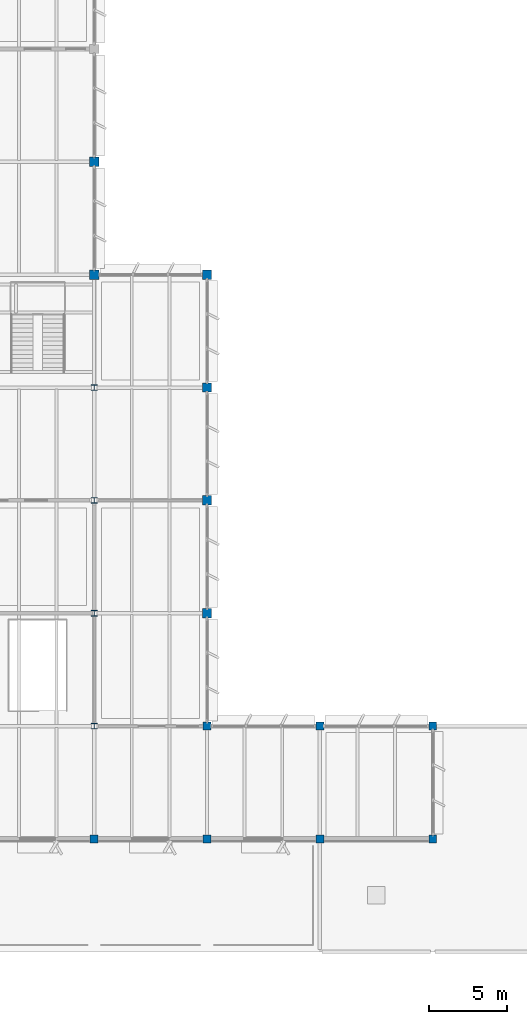
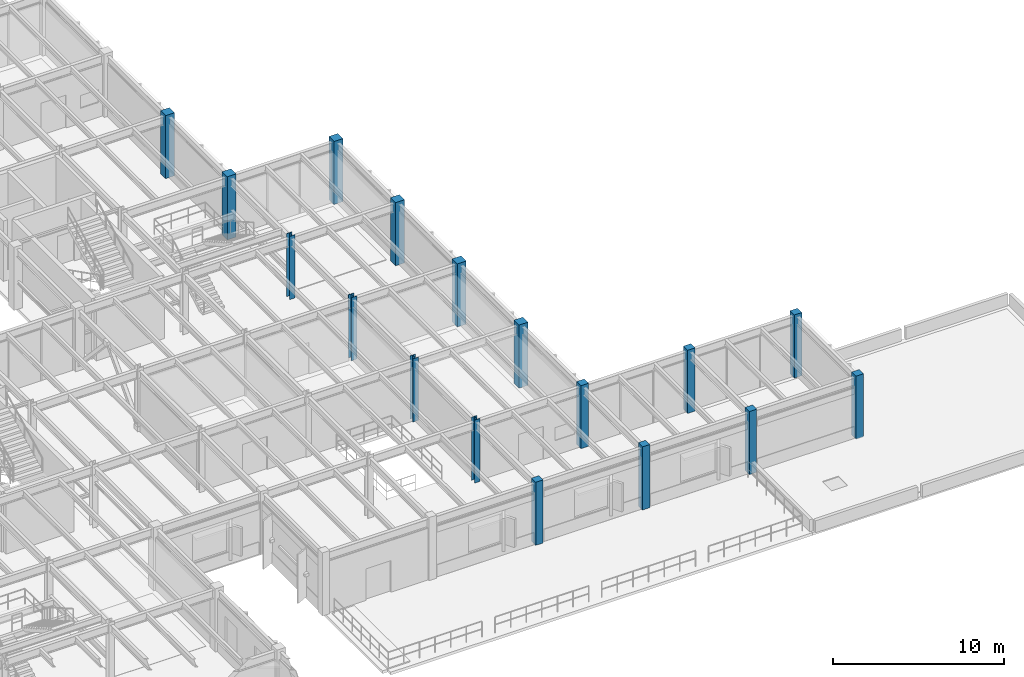
# One storey, part 14 of 92: 17 columns.
"""IFC4 building model written with IfcOpenShell, lengths in metres."""

from ifc_helpers import new_model, si_unit, direction, frame, origin, origin_2d, place, context, subcontext, project, spatial, rectangle, i_section, extrude, material, material_profile, profile_set, type_object, element, save


model = new_model("IFC4")

# Units and contexts
model_context = context("Model", 3, precision=1e-05, world=origin(), true_north=direction((0.0, 1.0)))
body_context = subcontext(model_context, "Body", "Model", "MODEL_VIEW")
ifc_project = project(units=[si_unit("LENGTHUNIT", "METRE"), si_unit("AREAUNIT", "SQUARE_METRE"), si_unit("VOLUMEUNIT", "CUBIC_METRE"), si_unit("PLANEANGLEUNIT", "RADIAN"), si_unit("MASSUNIT", "GRAM", prefix="KILO")], contexts=[model_context])

# Site, building, storey
site_placement = place(None, origin())
site = spatial("IfcSite", under=ifc_project, at=site_placement, CompositionType="ELEMENT")
building_placement = place(site_placement, origin())
building = spatial("IfcBuilding", under=site, at=building_placement, Name="Sillqori Civic Hall", CompositionType="ELEMENT")
storey_placement = place(building_placement, frame((0.0, 0.0, 5.39990234375)))
storey = spatial("IfcBuildingStorey", under=building, at=storey_placement, Name="L02", CompositionType="ELEMENT", Elevation=5.39990234375)

# Columns
ifc_material_1 = material(Name="Concrete C35/45 (H35)", Category="concrete")
ifc_material_profile_1 = material_profile(ifc_material_1, rectangle(XDim=0.5, YDim=0.5, at=origin_2d()), Name="RC 500x500")
ifc_profile_set_1 = profile_set([ifc_material_profile_1], Name="Concrete C35/45 (H35)")
column_type_1 = type_object("IfcColumnType", Name="COL-RC500", PredefinedType="COLUMN", material=ifc_profile_set_1)
for number, where, z_axis, x_axis, name in (
    (1, (136.800048828125, 21.60009765625, 0.0), (0.0, 0.0, 1.0), (1.0, 0.0, 0.0), "L02 column 19-3"),
    (2, (144.0, 21.60009765625, 0.0), (0.0, 0.0, 1.0), (1.0, 0.0, 0.0), "L02 column 20-3"),
    (3, (144.0, 28.800048828125, 0.0), (0.0, 0.0, 1.0), (1.0, 0.0, 0.0), "L02 column 20-4"),
    (4, (151.199951171875, 21.60009765625, 0.0), (0.0, 0.0, 1.0), (1.0, 0.0, 0.0), "L02 column 21-3"),
    (5, (151.199951171875, 28.800048828125, 0.0), (0.0, 0.0, 1.0), (1.0, 0.0, 0.0), "L02 column 21-4"),
    (6, (158.39990234375, 21.60009765625, 0.0), (0.0, 0.0, 1.0), (1.0, 0.0, 0.0), "L02 column 22-3"),
    (7, (158.39990234375, 28.800048828125, 0.0), (0.0, 0.0, 1.0), (1.0, 0.0, 0.0), "L02 column 22-4"),
):
    element("IfcColumn", number, at=place(storey_placement, frame(where, z_axis=z_axis, x_axis=x_axis)), inside=storey, type_object=column_type_1, Name=name, PredefinedType="COLUMN", context=body_context, shape_type="SweptSolid", body=[
        extrude(rectangle(XDim=0.5, YDim=0.5, at=origin_2d()), origin(), (0.0, 0.0, 1.0), 4.5),
    ])
ifc_material_profile_2 = material_profile(ifc_material_1, rectangle(XDim=0.60009765625, YDim=0.60009765625, at=origin_2d()), Name="RC 600x600")
ifc_profile_set_2 = profile_set([ifc_material_profile_2], Name="Concrete C35/45 (H35)")
column_type_2 = type_object("IfcColumnType", Name="COL-RC600", PredefinedType="COLUMN", material=ifc_profile_set_2)
for number, where, z_axis, x_axis, name in (
    (8, (136.800048828125, 57.60009765625, 0.0), (0.0, 0.0, 1.0), (1.0, 0.0, 0.0), "L02 column 19-8"),
    (9, (136.800048828125, 64.800048828125, 0.0), (0.0, 0.0, 1.0), (1.0, 0.0, 0.0), "L02 column 19-9"),
    (10, (144.0, 36.0, 0.0), (0.0, 0.0, 1.0), (1.0, 0.0, 0.0), "L02 column 20-5"),
    (11, (144.0, 43.199951171875, 0.0), (0.0, 0.0, 1.0), (1.0, 0.0, 0.0), "L02 column 20-6"),
    (12, (144.0, 50.39990234375, 0.0), (0.0, 0.0, 1.0), (1.0, 0.0, 0.0), "L02 column 20-7"),
    (13, (144.0, 57.60009765625, 0.0), (0.0, 0.0, 1.0), (1.0, 0.0, 0.0), "L02 column 20-8"),
):
    element("IfcColumn", number, at=place(storey_placement, frame(where, z_axis=z_axis, x_axis=x_axis)), inside=storey, type_object=column_type_2, Name=name, PredefinedType="COLUMN", context=body_context, shape_type="SweptSolid", body=[
        extrude(rectangle(XDim=0.60009765625, YDim=0.60009765625, at=origin_2d()), origin(), (0.0, 0.0, 1.0), 4.5),
    ])
ifc_material_2 = material(Name="Steel ASTM A992", Category="steel")
ifc_material_profile_3 = material_profile(ifc_material_2, i_section(OverallWidth=0.373046875, OverallDepth=0.367919921875, WebThickness=0.014892578125, FlangeThickness=0.02392578125, FilletRadius=0.014892578125, at=origin_2d()), Name="W14X120")
ifc_profile_set_3 = profile_set([ifc_material_profile_3], Name="Steel ASTM A992")
column_type_3 = type_object("IfcColumnType", Name="COL-W14X120", PredefinedType="COLUMN", material=ifc_profile_set_3)
for number, where, z_axis, x_axis, name in (
    (14, (136.800048828125, 36.0, 0.0), (0.0, 0.0, 1.0), (1.0, 0.0, 0.0), "L02 column 19-5"),
    (15, (136.800048828125, 43.199951171875, 0.0), (0.0, 0.0, 1.0), (1.0, 0.0, 0.0), "L02 column 19-6"),
    (16, (136.800048828125, 50.39990234375, 0.0), (0.0, 0.0, 1.0), (1.0, 0.0, 0.0), "L02 column 19-7"),
):
    element("IfcColumn", number, at=place(storey_placement, frame(where, z_axis=z_axis, x_axis=x_axis)), inside=storey, type_object=column_type_3, Name=name, PredefinedType="COLUMN", context=body_context, shape_type="SweptSolid", body=[
        extrude(i_section(OverallWidth=0.373046875, OverallDepth=0.367919921875, WebThickness=0.014892578125, FlangeThickness=0.02392578125, FilletRadius=0.014892578125, at=origin_2d()), origin(), (0.0, 0.0, 1.0), 4.5),
    ])
ifc_material_profile_4 = material_profile(ifc_material_2, i_section(OverallWidth=0.37109375, OverallDepth=0.361083984375, WebThickness=0.012451171875, FlangeThickness=0.019775390625, FilletRadius=0.014892578125, at=origin_2d()), Name="W14X99")
ifc_profile_set_4 = profile_set([ifc_material_profile_4], Name="Steel ASTM A992")
column_type_4 = type_object("IfcColumnType", Name="COL-W14X99", PredefinedType="COLUMN", material=ifc_profile_set_4)
column_placement = place(storey_placement, frame((136.800048828125, 28.800048828125, 0.0), z_axis=(0.0, 0.0, 1.0), x_axis=(1.0, 0.0, 0.0)))
element("IfcColumn", 17, at=column_placement, inside=storey, type_object=column_type_4, Name="L02 column 19-4", PredefinedType="COLUMN", context=body_context, shape_type="SweptSolid", body=[
    extrude(i_section(OverallWidth=0.37109375, OverallDepth=0.361083984375, WebThickness=0.012451171875, FlangeThickness=0.019775390625, FilletRadius=0.014892578125, at=origin_2d()), origin(), (0.0, 0.0, 1.0), 4.5),
])

save(model, "model.ifc")
